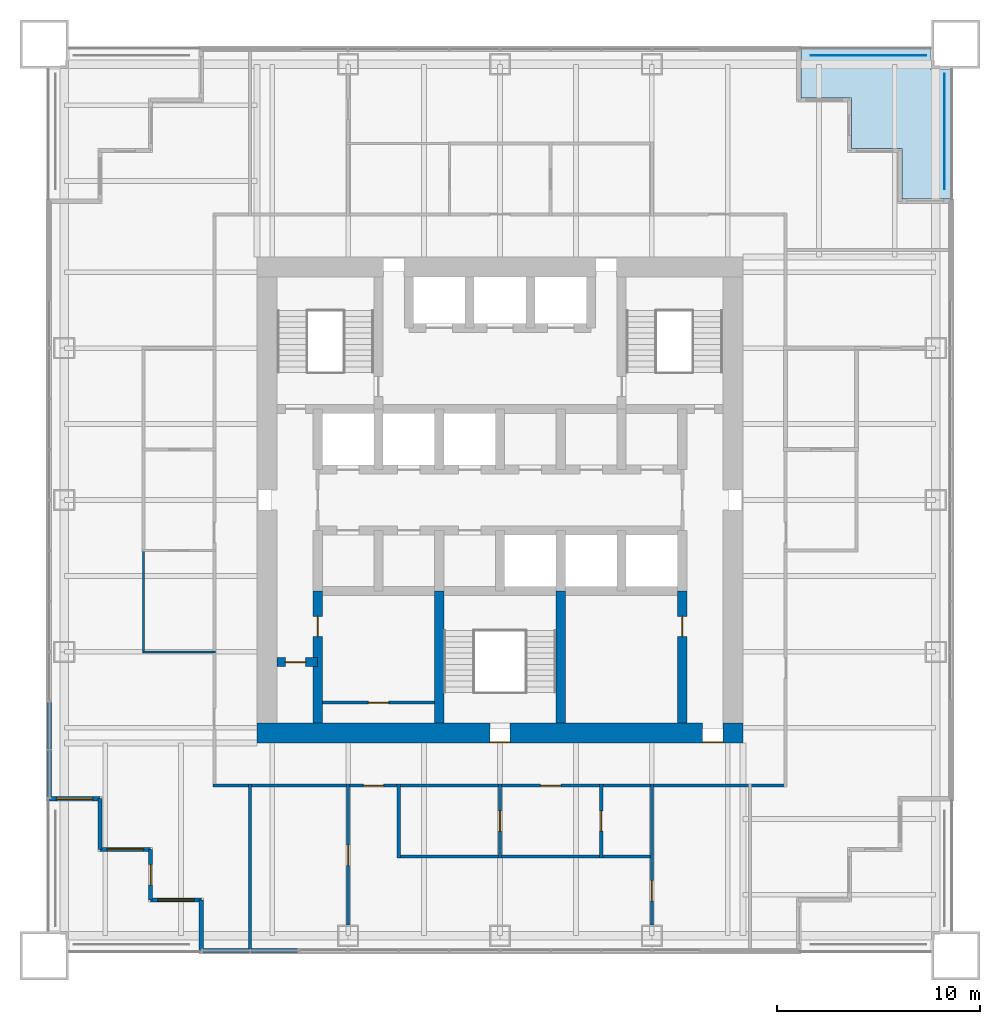
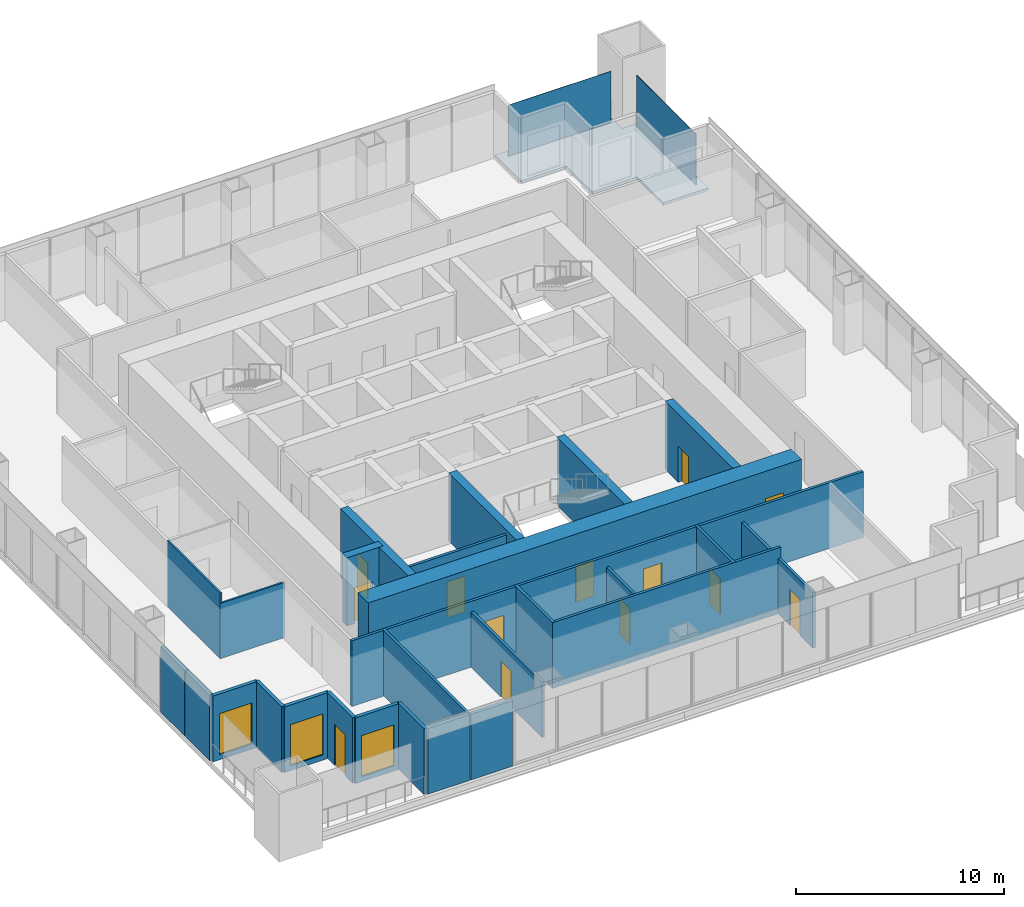
# One storey, part 8 of 13: 27 walls, 13 doors, 3 windows, 2 plates, 1 slab, 16 openings.
"""IFC4 building model written with IfcOpenShell, lengths in metres."""

import ifcopenshell
import ifcopenshell.guid

model = None  # the IFC model being written
_history = None  # IfcOwnerHistory: only IFC2X3 demands one
_inside = {}  # id of a spatial element -> (the spatial element, [elements in it])
_under = {}  # id of a project, library or spatial element -> (it, [spatial elements below it])
_declared = {}  # id of a project -> (the project, [libraries it declares])
_typed = {}  # id of a type object -> (the type object, [elements of that type])
_made_of = {}  # id of a material, layer set ... -> (it, [elements and type objects made of it])


def new_model(schema):
    """Start an empty IFC model of exactly this schema.

    Asked for "IFC4X3", IfcOpenShell would pick the latest addendum, in which some entities
    have other attributes; the version numbers below select the first issue.
    IFC2X3 requires an IfcOwnerHistory on every rooted entity: one is made here for all.
    """
    global model, _history
    if schema == "IFC4X3":
        model = ifcopenshell.file(schema_version=(4, 3, 0, 0))
    else:
        model = ifcopenshell.file(schema=schema)
    _inside.clear()
    _under.clear()
    _declared.clear()
    _typed.clear()
    _made_of.clear()
    _history = None
    if model.schema == "IFC2X3":
        org = make("IfcOrganization", Name="unknown")
        user = make(
            "IfcPersonAndOrganization",
            ThePerson=make("IfcPerson", FamilyName="unknown"),
            TheOrganization=org,
        )
        app = make(
            "IfcApplication",
            ApplicationDeveloper=org,
            Version="unknown",
            ApplicationFullName="unknown",
            ApplicationIdentifier="unknown",
        )
        _history = make(
            "IfcOwnerHistory",
            OwningUser=user,
            OwningApplication=app,
            ChangeAction="ADDED",
            CreationDate=0,
        )
    return model


def make(cls, **values):
    """One entity of the class cls with the attributes given. An attribute that is None is left unset."""
    return model.create_entity(
        cls, **{name: value for name, value in values.items() if value is not None}
    )


def rooted(cls, **values):
    """An entity with a GlobalId (a new one), such as an element, a storey or a relation."""
    return make(cls, GlobalId=ifcopenshell.guid.new(), OwnerHistory=_history, **values)


def si_unit(unit_type, name, prefix=None):
    """IfcSIUnit, for example si_unit("LENGTHUNIT", "METRE", prefix="MILLI")."""
    return make("IfcSIUnit", UnitType=unit_type, Prefix=prefix, Name=name)


def assignment(units):
    """IfcUnitAssignment: the units of a project."""
    return None if units is None else make("IfcUnitAssignment", Units=units)


def point(xyz):
    """IfcCartesianPoint."""
    return None if xyz is None else make("IfcCartesianPoint", Coordinates=xyz)


def direction(xyz):
    """IfcDirection."""
    return None if xyz is None else make("IfcDirection", DirectionRatios=xyz)


def frame(location, z_axis=None, x_axis=None):
    """IfcAxis2Placement3D, a coordinate frame: its origin and axes. An axis left out is left unset."""
    return make(
        "IfcAxis2Placement3D",
        Location=point(location),
        Axis=direction(z_axis),
        RefDirection=direction(x_axis),
    )


def frame_2d(location, x_axis=None):
    """IfcAxis2Placement2D, a coordinate frame in the plane: its origin and x axis."""
    return make(
        "IfcAxis2Placement2D", Location=point(location), RefDirection=direction(x_axis)
    )


def origin():
    """The frame at (0, 0, 0) with its axes left unset."""
    return frame((0.0, 0.0, 0.0))


def origin_2d():
    """The frame at (0, 0) in the plane with its x axis left unset."""
    return frame_2d((0.0, 0.0))


def place(relative_to, where):
    """IfcLocalPlacement: puts the frame where relative to a parent placement (None: the world)."""
    return make(
        "IfcLocalPlacement", PlacementRelTo=relative_to, RelativePlacement=where
    )


def context(
    kind, dimensions, precision=None, world=None, true_north=None, identifier=None
):
    """IfcGeometricRepresentationContext, for example the 3D "Model" context."""
    return make(
        "IfcGeometricRepresentationContext",
        ContextIdentifier=identifier,
        ContextType=kind,
        CoordinateSpaceDimension=dimensions,
        Precision=precision,
        WorldCoordinateSystem=world,
        TrueNorth=true_north,
    )


def subcontext(parent, identifier, kind, view, scale=None):
    """IfcGeometricRepresentationSubContext, for example "Body" below "Model"."""
    return make(
        "IfcGeometricRepresentationSubContext",
        ContextIdentifier=identifier,
        ContextType=kind,
        ParentContext=parent,
        TargetScale=scale,
        TargetView=view,
    )


def project(units=None, contexts=None):
    """IfcProject with its units and contexts."""
    return rooted(
        "IfcProject",
        Name="project",
        RepresentationContexts=contexts,
        UnitsInContext=assignment(units),
    )


def spatial(cls, under=None, at=None, **own):
    """A site, building, storey or space (cls), placed at a placement, below another one or the project."""
    s = rooted(cls, ObjectPlacement=at, **own)
    if under is not None:
        _under.setdefault(under.id(), (under, []))[1].append(s)
    return s


def polyline(points):
    """IfcPolyline through the points."""
    return make("IfcPolyline", Points=[point(p) for p in points])


def profile(cls, at=None, kind="AREA", **sizes):
    """A parametric profile (cls). Its sizes go by their IFC names, for example OverallWidth=200.0."""
    return make(cls, ProfileType=kind, Position=at, **sizes)


def rectangle(**sizes):
    """IfcRectangleProfileDef."""
    return profile("IfcRectangleProfileDef", **sizes)


def outline(outer, holes=None, kind="AREA"):
    """IfcArbitraryClosedProfileDef: a profile drawn as a closed curve; with holes, ...WithVoids."""
    if holes is None:
        return make("IfcArbitraryClosedProfileDef", ProfileType=kind, OuterCurve=outer)
    return make(
        "IfcArbitraryProfileDefWithVoids",
        ProfileType=kind,
        OuterCurve=outer,
        InnerCurves=holes,
    )


def extrude(swept, where, along, depth):
    """IfcExtrudedAreaSolid: the profile swept, set in the frame where, extruded along a direction by depth."""
    return make(
        "IfcExtrudedAreaSolid",
        SweptArea=swept,
        Position=where,
        ExtrudedDirection=direction(along),
        Depth=depth,
    )


def shape(context_of_items, identifier, shape_type, items):
    """IfcShapeRepresentation: the items that make up one representation, for example the "Body"."""
    return make(
        "IfcShapeRepresentation",
        ContextOfItems=context_of_items,
        RepresentationIdentifier=identifier,
        RepresentationType=shape_type,
        Items=items,
    )


def material(Name=None, Category=None):
    """IfcMaterial."""
    return make("IfcMaterial", Name=Name, Category=Category)


def layer(
    of_material, thickness, ventilated=None, Name=None, Category=None, Priority=None
):
    """IfcMaterialLayer: one layer of a wall or slab, of a material (None: an air gap)."""
    return make(
        "IfcMaterialLayer",
        Material=of_material,
        LayerThickness=thickness,
        IsVentilated=ventilated,
        Name=Name,
        Category=Category,
        Priority=Priority,
    )


def layer_set(layers, Name=None):
    """IfcMaterialLayerSet."""
    return make("IfcMaterialLayerSet", MaterialLayers=layers, LayerSetName=Name)


def made_of(thing, what):
    """Note that an element or type object is made of a material, layer set ...; save() writes the relation."""
    if what is not None:
        _made_of.setdefault(what.id(), (what, []))[1].append(thing)
    return thing


def type_object(cls, material=None, **own):
    """A type object (cls), such as IfcWallType, which elements share."""
    return made_of(rooted(cls, **own), material)


def element(
    cls,
    number,
    at=None,
    inside=None,
    cuts=None,
    type_object=None,
    material=None,
    context=None,
    identifier="Body",
    shape_type=None,
    held_by="IfcProductDefinitionShape",
    body=None,
    shapes=None,
    **own,
):
    """One element of the class cls, such as IfcWall. Its Tag is "e" and its number.

    at: its placement. inside: the storey or other place that contains it. cuts: it is an
    opening in that element (IfcRelVoidsElement). A single representation is given by context,
    identifier, shape_type and body (its items); several are given by shapes. held_by: the class
    of the entity that holds the representations. save() writes the other relations.
    """
    e = rooted(cls, Tag="e%d" % number, ObjectPlacement=at, **own)
    if body is not None:
        shapes = [shape(context, identifier, shape_type, body)]
    if shapes is not None:
        e.Representation = make(held_by, Representations=shapes)
    if inside is not None:
        _inside.setdefault(inside.id(), (inside, []))[1].append(e)
    if cuts is not None:
        rooted(
            "IfcRelVoidsElement", RelatingBuildingElement=cuts, RelatedOpeningElement=e
        )
    if type_object is not None:
        _typed.setdefault(type_object.id(), (type_object, []))[1].append(e)
    return made_of(e, material)


def fill(opening, filler):
    """IfcRelFillsElement: the door or window that sits in an opening."""
    return rooted(
        "IfcRelFillsElement",
        RelatingOpeningElement=opening,
        RelatedBuildingElement=filler,
    )


def aggregate(whole, parts):
    """IfcRelAggregates: a whole, such as a stair, and the parts it consists of."""
    return rooted("IfcRelAggregates", RelatingObject=whole, RelatedObjects=parts)


def save(model, path):
    """Write the relations noted so far, then the file.

    IfcRelAggregates (storeys below a building ...), IfcRelContainedInSpatialStructure (elements
    in a storey), IfcRelDefinesByType, IfcRelAssociatesMaterial and IfcRelDeclares: one each for
    every whole, place, type object, material and project.
    """
    for whole, parts in _under.values():
        aggregate(whole, parts)
    for where, things in _inside.values():
        rooted(
            "IfcRelContainedInSpatialStructure",
            RelatedElements=things,
            RelatingStructure=where,
        )
    for kind, things in _typed.values():
        rooted("IfcRelDefinesByType", RelatedObjects=things, RelatingType=kind)
    for what, things in _made_of.values():
        rooted("IfcRelAssociatesMaterial", RelatedObjects=things, RelatingMaterial=what)
    for by, libraries in _declared.values():
        rooted("IfcRelDeclares", RelatingContext=by, RelatedDefinitions=libraries)
    model.write(path)


model = new_model("IFC4")

# Units and contexts
model_context = context("Model", 3, precision=1e-05, world=origin(), true_north=direction((0.0, 1.0)))
body_context = subcontext(model_context, "Body", "Model", "MODEL_VIEW")
ifc_project = project(units=[si_unit("LENGTHUNIT", "METRE"), si_unit("AREAUNIT", "SQUARE_METRE"), si_unit("VOLUMEUNIT", "CUBIC_METRE"), si_unit("PLANEANGLEUNIT", "RADIAN"), si_unit("MASSUNIT", "GRAM", prefix="KILO")], contexts=[model_context])

# Site, building, storey
site_placement = place(None, origin())
site = spatial("IfcSite", under=ifc_project, at=site_placement, CompositionType="ELEMENT")
building_placement = place(site_placement, origin())
building = spatial("IfcBuilding", under=site, at=building_placement, Name="Tarangal Relay Tower", CompositionType="ELEMENT")
storey_placement = place(building_placement, frame((0.0, 0.0, 205.89990234375)))
storey = spatial("IfcBuildingStorey", under=building, at=storey_placement, Name="L43", CompositionType="ELEMENT", Elevation=205.89990234375)

# Plates
ifc_material_1 = material(Name="Black stainless steel cable trellis with climbing planting", Category="steel")
ifc_layer_1 = layer(ifc_material_1, 0.030029296875)
ifc_layer_set_1 = layer_set([ifc_layer_1], Name="Planted trellis screen")
plate_type_1 = type_object("IfcPlateType", Name="Planted trellis screen", PredefinedType="SHEET", material=ifc_layer_set_1)
plate_1_placement = place(storey_placement, frame((21.949951171875, 18.199951171875, 0.0), z_axis=(0.0, 0.0, 1.0), x_axis=(0.0, -1.0, 0.0)))
element("IfcPlate", 1, at=plate_1_placement, inside=storey, type_object=plate_type_1, Name="Planted trellis SC2 NE L43", PredefinedType="SHEET", context=body_context, shape_type="SweptSolid", body=[
    extrude(rectangle(XDim=5.699951171875, YDim=0.030029296875, at=origin_2d()), origin(), (0.0, 0.0, 1.0), 3.0),
])
ifc_material_2 = material(Name="Perforated black aluminium screen", Category="aluminium")
ifc_layer_2 = layer(ifc_material_2, 0.02001953125)
ifc_layer_set_2 = layer_set([ifc_layer_2], Name="Terrace screen panel")
plate_type_2 = type_object("IfcPlateType", Name="Terrace screen panel", PredefinedType="SHEET", material=ifc_layer_set_2)
plate_2_placement = place(storey_placement, frame((18.199951171875, 21.949951171875, 0.0), z_axis=(0.0, 0.0, 1.0), x_axis=(1.0, 0.0, 0.0)))
element("IfcPlate", 2, at=plate_2_placement, inside=storey, type_object=plate_type_2, Name="Terrace screen SC1 NE L43", PredefinedType="SHEET", context=body_context, shape_type="SweptSolid", body=[
    extrude(rectangle(XDim=5.699951171875, YDim=0.02001953125, at=origin_2d()), origin(), (0.0, 0.0, 1.0), 3.0),
])

# Slab
ifc_material_3 = material(Name="Concrete fc' 35 MPa", Category="concrete")
ifc_layer_3 = layer(ifc_material_3, 0.14990234375)
ifc_layer_set_3 = layer_set([ifc_layer_3], Name="Terrace slab 150")
slab_type = type_object("IfcSlabType", Name="Terrace slab 150", PredefinedType="FLOOR", material=ifc_layer_set_3)
slab_placement = place(storey_placement, frame((0.0, 0.0, -0.14990234375)))
element("IfcSlab", 3, at=slab_placement, inside=storey, type_object=slab_type, Name="Corner terrace NE L43", PredefinedType="FLOOR", context=body_context, shape_type="SweptSolid", body=[
    extrude(outline(polyline([(14.85009765625, 22.35009765625), (14.85009765625, 19.85009765625), (17.35009765625, 19.85009765625), (17.35009765625, 17.35009765625), (19.85009765625, 17.35009765625), (19.85009765625, 14.85009765625), (22.35009765625, 14.85009765625), (22.35009765625, 21.25), (21.25, 21.25), (21.25, 22.35009765625), (14.85009765625, 22.35009765625)])), origin(), (0.0, 0.0, 1.0), 0.14990234375),
])

# Wall, opening, door
ifc_material_4 = material(Name="Concrete fc' 60 MPa", Category="concrete")
ifc_layer_4 = layer(ifc_material_4, 0.449951171875)
ifc_layer_set_4 = layer_set([ifc_layer_4], Name="Core inner wall 450")
wall_type_1 = type_object("IfcWallType", Name="Core inner wall 450", PredefinedType="SHEAR", material=ifc_layer_set_4)
wall_1_placement = place(storey_placement, frame((-11.0, -8.0, 0.0), z_axis=(0.0, 0.0, 1.0), x_axis=(1.0, 0.0, 0.0)))
wall_1 = element("IfcWall", 4, at=wall_1_placement, inside=storey, type_object=wall_type_1, Name="Core wall YM8 L43", PredefinedType="SHEAR", context=body_context, shape_type="SweptSolid", body=[
    extrude(rectangle(XDim=2.0, YDim=0.449951171875, at=frame_2d((1.0, 0.0))), origin(), (0.0, 0.0, 1.0), 4.0),
])
opening_1_placement = place(wall_1_placement, frame((0.39990234375, 0.0, 0.0)))
opening_1 = element("IfcOpeningElement", 5, at=opening_1_placement, cuts=wall_1, Name="Opening D1", PredefinedType="OPENING", context=body_context, shape_type="SweptSolid", body=[
    extrude(rectangle(XDim=1.0, YDim=2.10009765625, at=frame_2d((0.5, 1.050048828125))), frame((0.0, 0.23486328125, 0.0), z_axis=(0.0, -1.0, 0.0), x_axis=(1.0, 0.0, 0.0)), (0.0, 0.0, 1.0), 0.469970703125),
])
ifc_material_5 = material(Name="Hardwood door", Category="wood")
door_type_1 = type_object("IfcDoorType", Name="WC door 1000 x 2100", OperationType="SINGLE_SWING_LEFT", PredefinedType="DOOR", material=ifc_material_5)
door_1_placement = place(opening_1_placement, origin())
door_1 = element("IfcDoor", 6, at=door_1_placement, inside=storey, type_object=door_type_1, Name="Accessible WC door L43", OperationType="SINGLE_SWING_LEFT", OverallHeight=2.10009765625, OverallWidth=1.0, PredefinedType="DOOR", context=body_context, shape_type="SweptSolid", body=[
    extrude(rectangle(XDim=1.0, YDim=2.10009765625, at=frame_2d((0.5, 1.050048828125))), frame((0.0, 0.02490234375, 0.0), z_axis=(0.0, -1.0, 0.0), x_axis=(1.0, 0.0, 0.0)), (0.0, 0.0, 1.0), 0.050048828125),
])
fill(opening_1, door_1)

wall_2_placement = place(storey_placement, frame((-9.0, -11.0, 0.0), z_axis=(0.0, 0.0, 1.0), x_axis=(0.0, 1.0, 0.0)))
wall_2 = element("IfcWall", 7, at=wall_2_placement, inside=storey, type_object=wall_type_1, Name="Core wall XM9W L43", PredefinedType="SHEAR", context=body_context, shape_type="SweptSolid", body=[
    extrude(rectangle(XDim=6.5, YDim=0.449951171875, at=frame_2d((3.25, 0.0))), origin(), (0.0, 0.0, 1.0), 4.0),
])
opening_2_placement = place(wall_2_placement, frame((4.25, 0.0, 0.0)))
opening_2 = element("IfcOpeningElement", 8, at=opening_2_placement, cuts=wall_2, Name="Opening D1", PredefinedType="OPENING", context=body_context, shape_type="SweptSolid", body=[
    extrude(rectangle(XDim=1.0, YDim=2.10009765625, at=frame_2d((0.5, 1.050048828125))), frame((0.0, 0.23486328125, 0.0), z_axis=(0.0, -1.0, 0.0), x_axis=(1.0, 0.0, 0.0)), (0.0, 0.0, 1.0), 0.469970703125),
])
door_2_placement = place(opening_2_placement, origin())
door_2 = element("IfcDoor", 9, at=door_2_placement, inside=storey, type_object=door_type_1, Name="Male WC door L43", OperationType="SINGLE_SWING_LEFT", OverallHeight=2.10009765625, OverallWidth=1.0, PredefinedType="DOOR", context=body_context, shape_type="SweptSolid", body=[
    extrude(rectangle(XDim=1.0, YDim=2.10009765625, at=frame_2d((0.5, 1.050048828125))), frame((0.0, 0.02490234375, 0.0), z_axis=(0.0, -1.0, 0.0), x_axis=(1.0, 0.0, 0.0)), (0.0, 0.0, 1.0), 0.050048828125),
])
fill(opening_2, door_2)

wall_3_placement = place(storey_placement, frame((9.0, -11.0, 0.0), z_axis=(0.0, 0.0, 1.0), x_axis=(0.0, 1.0, 0.0)))
wall_3 = element("IfcWall", 10, at=wall_3_placement, inside=storey, type_object=wall_type_1, Name="Core wall X9W L43", PredefinedType="SHEAR", context=body_context, shape_type="SweptSolid", body=[
    extrude(rectangle(XDim=6.5, YDim=0.449951171875, at=frame_2d((3.25, 0.0))), origin(), (0.0, 0.0, 1.0), 4.0),
])
opening_3_placement = place(wall_3_placement, frame((4.25, 0.0, 0.0)))
opening_3 = element("IfcOpeningElement", 11, at=opening_3_placement, cuts=wall_3, Name="Opening D1", PredefinedType="OPENING", context=body_context, shape_type="SweptSolid", body=[
    extrude(rectangle(XDim=1.0, YDim=2.10009765625, at=frame_2d((0.5, 1.050048828125))), frame((0.0, 0.23486328125, 0.0), z_axis=(0.0, -1.0, 0.0), x_axis=(1.0, 0.0, 0.0)), (0.0, 0.0, 1.0), 0.469970703125),
])
door_3_placement = place(opening_3_placement, origin())
door_3 = element("IfcDoor", 12, at=door_3_placement, inside=storey, type_object=door_type_1, Name="Female WC door L43", OperationType="SINGLE_SWING_LEFT", OverallHeight=2.10009765625, OverallWidth=1.0, PredefinedType="DOOR", context=body_context, shape_type="SweptSolid", body=[
    extrude(rectangle(XDim=1.0, YDim=2.10009765625, at=frame_2d((0.5, 1.050048828125))), frame((0.0, 0.02490234375, 0.0), z_axis=(0.0, -1.0, 0.0), x_axis=(1.0, 0.0, 0.0)), (0.0, 0.0, 1.0), 0.050048828125),
])
fill(opening_3, door_3)

# Walls
for number, where, z_axis, x_axis, name in (
    (13, (-3.0, -11.0, 0.0), (0.0, 0.0, 1.0), (0.0, 1.0, 0.0), "Core wall XM3W L43"),
    (14, (3.0, -11.0, 0.0), (0.0, 0.0, 1.0), (0.0, 1.0, 0.0), "Core wall X3W L43"),
):
    element("IfcWall", number, at=place(storey_placement, frame(where, z_axis=z_axis, x_axis=x_axis)), inside=storey, type_object=wall_type_1, Name=name, PredefinedType="SHEAR", context=body_context, shape_type="SweptSolid", body=[
        extrude(rectangle(XDim=6.5, YDim=0.449951171875, at=frame_2d((3.25, 0.0))), origin(), (0.0, 0.0, 1.0), 4.0),
    ])

# Wall, openings, doors
ifc_layer_5 = layer(ifc_material_4, 1.0)
ifc_layer_set_5 = layer_set([ifc_layer_5], Name="Core wall 1000")
wall_type_2 = type_object("IfcWallType", Name="Core wall 1000", PredefinedType="SHEAR", material=ifc_layer_set_5)
wall_4_placement = place(storey_placement, frame((12.0, -11.5, 0.0), z_axis=(0.0, 0.0, 1.0), x_axis=(-1.0, 0.0, 0.0)))
wall_4 = element("IfcWall", 15, at=wall_4_placement, inside=storey, type_object=wall_type_2, Name="Core wall S L43", PredefinedType="SHEAR", context=body_context, shape_type="SweptSolid", body=[
    extrude(rectangle(XDim=24.0, YDim=1.0, at=frame_2d((12.0, 0.0))), origin(), (0.0, 0.0, 1.0), 4.0),
])
opening_4_placement = place(wall_4_placement, frame((11.5, 0.0, 0.0)))
opening_4 = element("IfcOpeningElement", 16, at=opening_4_placement, cuts=wall_4, Name="Opening FD1", PredefinedType="OPENING", context=body_context, shape_type="SweptSolid", body=[
    extrude(rectangle(XDim=1.0, YDim=2.10009765625, at=frame_2d((0.5, 1.050048828125))), frame((0.0, 0.510009765625, 0.0), z_axis=(0.0, -1.0, 0.0), x_axis=(1.0, 0.0, 0.0)), (0.0, 0.0, 1.0), 1.02001953125),
])
opening_5_placement = place(wall_4_placement, frame((1.0, 0.0, 0.0)))
opening_5 = element("IfcOpeningElement", 17, at=opening_5_placement, cuts=wall_4, Name="Opening FD3", PredefinedType="OPENING", context=body_context, shape_type="SweptSolid", body=[
    extrude(rectangle(XDim=1.0, YDim=2.39990234375, at=frame_2d((0.5, 1.199951171875))), frame((0.0, 0.510009765625, 0.0), z_axis=(0.0, -1.0, 0.0), x_axis=(1.0, 0.0, 0.0)), (0.0, 0.0, 1.0), 1.02001953125),
])
ifc_material_6 = material(Name="Steel door with hardwood frame", Category="steel")
door_type_2 = type_object("IfcDoorType", Name="Fire door 1000 x 2100", OperationType="SINGLE_SWING_LEFT", PredefinedType="DOOR", material=ifc_material_6)
door_4_placement = place(opening_4_placement, origin())
door_4 = element("IfcDoor", 18, at=door_4_placement, inside=storey, type_object=door_type_2, Name="Stair ST-C door L43", OperationType="SINGLE_SWING_LEFT", OverallHeight=2.10009765625, OverallWidth=1.0, PredefinedType="DOOR", context=body_context, shape_type="SweptSolid", body=[
    extrude(rectangle(XDim=1.0, YDim=2.10009765625, at=frame_2d((0.5, 1.050048828125))), frame((0.0, 0.48486328125, 0.0), z_axis=(0.0, -1.0, 0.0), x_axis=(1.0, 0.0, 0.0)), (0.0, 0.0, 1.0), 0.050048828125),
])
fill(opening_4, door_4)
door_type_3 = type_object("IfcDoorType", Name="Fire door 1000 x 2400 core entry", OperationType="SINGLE_SWING_RIGHT", PredefinedType="DOOR", material=ifc_material_6)
door_5_placement = place(opening_5_placement, origin())
door_5 = element("IfcDoor", 19, at=door_5_placement, inside=storey, type_object=door_type_3, Name="Core entry door south east L43", OperationType="SINGLE_SWING_RIGHT", OverallHeight=2.39990234375, OverallWidth=1.0, PredefinedType="DOOR", context=body_context, shape_type="SweptSolid", body=[
    extrude(rectangle(XDim=1.0, YDim=2.39990234375, at=frame_2d((0.5, 1.199951171875))), frame((0.0, 0.48486328125, 0.0), z_axis=(0.0, -1.0, 0.0), x_axis=(1.0, 0.0, 0.0)), (0.0, 0.0, 1.0), 0.050048828125),
])
fill(opening_5, door_5)

# Wall
ifc_material_7 = material(Name="Black metal clad insulated wall", Category="steel")
ifc_layer_6 = layer(ifc_material_7, 0.199951171875)
ifc_layer_set_6 = layer_set([ifc_layer_6], Name="Corner wall metal clad 200")
wall_type_3 = type_object("IfcWallType", Name="Corner wall metal clad 200", PredefinedType="SOLIDWALL", material=ifc_layer_set_6)
wall_5_placement = place(storey_placement, frame((-14.75, -22.25, 0.0), z_axis=(0.0, 0.0, 1.0), x_axis=(0.0, 1.0, 0.0)))
element("IfcWall", 20, at=wall_5_placement, inside=storey, type_object=wall_type_3, Name="Facade wall S facade L43", PredefinedType="SOLIDWALL", context=body_context, shape_type="SweptSolid", body=[
    extrude(rectangle(XDim=2.5, YDim=0.199951171875, at=frame_2d((1.25, 0.0))), origin(), (0.0, 0.0, 1.0), 3.85009765625),
])

# Wall, opening, window
wall_6_placement = place(storey_placement, frame((-14.75, -19.75, 0.0), z_axis=(0.0, 0.0, 1.0), x_axis=(-1.0, 0.0, 0.0)))
wall_6 = element("IfcWall", 21, at=wall_6_placement, inside=storey, type_object=wall_type_3, Name="Facade wall S facade L43", PredefinedType="SOLIDWALL", context=body_context, shape_type="SweptSolid", body=[
    extrude(rectangle(XDim=2.5, YDim=0.199951171875, at=frame_2d((1.25, 0.0))), origin(), (0.0, 0.0, 1.0), 3.85009765625),
])
opening_6_placement = place(wall_6_placement, frame((0.35009765625, 0.0, 0.300048828125)))
opening_6 = element("IfcOpeningElement", 22, at=opening_6_placement, cuts=wall_6, Name="Opening WN2", PredefinedType="OPENING", context=body_context, shape_type="SweptSolid", body=[
    extrude(rectangle(XDim=1.800048828125, YDim=2.39990234375, at=frame_2d((0.89990234375, 1.199951171875))), frame((0.0, 0.10986328125, 0.0), z_axis=(0.0, -1.0, 0.0), x_axis=(1.0, 0.0, 0.0)), (0.0, 0.0, 1.0), 0.219970703125),
])
ifc_material_8 = material(Name="Dark tinted double glazing in black aluminium frame", Category="aluminium")
window_type = type_object("IfcWindowType", Name="Corner window 1800 x 2400", PartitioningType="SINGLE_PANEL", PredefinedType="WINDOW", material=ifc_material_8)
window_1_placement = place(opening_6_placement, origin())
window_1 = element("IfcWindow", 23, at=window_1_placement, inside=storey, type_object=window_type, Name="Corner window WN2 S facade L43", OverallHeight=2.39990234375, OverallWidth=1.800048828125, PartitioningType="SINGLE_PANEL", PredefinedType="WINDOW", context=body_context, shape_type="SweptSolid", body=[
    extrude(rectangle(XDim=1.800048828125, YDim=2.39990234375, at=frame_2d((0.89990234375, 1.199951171875))), frame((0.0, 0.030029296875, 0.0), z_axis=(0.0, -1.0, 0.0), x_axis=(1.0, 0.0, 0.0)), (0.0, 0.0, 1.0), 0.06005859375),
])
fill(opening_6, window_1)

# Wall, opening, door
wall_7_placement = place(storey_placement, frame((-17.25, -19.75, 0.0), z_axis=(0.0, 0.0, 1.0), x_axis=(0.0, 1.0, 0.0)))
wall_7 = element("IfcWall", 24, at=wall_7_placement, inside=storey, type_object=wall_type_3, Name="Facade wall S facade L43", PredefinedType="SOLIDWALL", context=body_context, shape_type="SweptSolid", body=[
    extrude(rectangle(XDim=2.5, YDim=0.199951171875, at=frame_2d((1.25, 0.0))), origin(), (0.0, 0.0, 1.0), 3.85009765625),
])
opening_7_placement = place(wall_7_placement, frame((0.75, 0.0, 0.0)))
opening_7 = element("IfcOpeningElement", 25, at=opening_7_placement, cuts=wall_7, Name="Opening TD1", PredefinedType="OPENING", context=body_context, shape_type="SweptSolid", body=[
    extrude(rectangle(XDim=1.0, YDim=2.39990234375, at=frame_2d((0.5, 1.199951171875))), frame((0.0, 0.10986328125, 0.0), z_axis=(0.0, -1.0, 0.0), x_axis=(1.0, 0.0, 0.0)), (0.0, 0.0, 1.0), 0.219970703125),
])
ifc_material_9 = material(Name="Aluminium glazed door", Category="aluminium")
door_type_4 = type_object("IfcDoorType", Name="Terrace door 1000 x 2400", OperationType="SINGLE_SWING_RIGHT", PredefinedType="DOOR", material=ifc_material_9)
door_6_placement = place(opening_7_placement, origin())
door_6 = element("IfcDoor", 26, at=door_6_placement, inside=storey, type_object=door_type_4, Name="Terrace door TD1 SW L43", OperationType="SINGLE_SWING_RIGHT", OverallHeight=2.39990234375, OverallWidth=1.0, PredefinedType="DOOR", context=body_context, shape_type="SweptSolid", body=[
    extrude(rectangle(XDim=1.0, YDim=2.39990234375, at=frame_2d((0.5, 1.199951171875))), frame((0.0, 0.02490234375, 0.0), z_axis=(0.0, -1.0, 0.0), x_axis=(1.0, 0.0, 0.0)), (0.0, 0.0, 1.0), 0.050048828125),
])
fill(opening_7, door_6)

# Wall, opening, window
wall_8_placement = place(storey_placement, frame((-17.25, -17.25, 0.0), z_axis=(0.0, 0.0, 1.0), x_axis=(-1.0, 0.0, 0.0)))
wall_8 = element("IfcWall", 27, at=wall_8_placement, inside=storey, type_object=wall_type_3, Name="Facade wall S facade L43", PredefinedType="SOLIDWALL", context=body_context, shape_type="SweptSolid", body=[
    extrude(rectangle(XDim=2.5, YDim=0.199951171875, at=frame_2d((1.25, 0.0))), origin(), (0.0, 0.0, 1.0), 3.85009765625),
])
opening_8_placement = place(wall_8_placement, frame((0.35009765625, 0.0, 0.300048828125)))
opening_8 = element("IfcOpeningElement", 28, at=opening_8_placement, cuts=wall_8, Name="Opening WN2", PredefinedType="OPENING", context=body_context, shape_type="SweptSolid", body=[
    extrude(rectangle(XDim=1.800048828125, YDim=2.39990234375, at=frame_2d((0.89990234375, 1.199951171875))), frame((0.0, 0.10986328125, 0.0), z_axis=(0.0, -1.0, 0.0), x_axis=(1.0, 0.0, 0.0)), (0.0, 0.0, 1.0), 0.219970703125),
])
window_2_placement = place(opening_8_placement, origin())
window_2 = element("IfcWindow", 29, at=window_2_placement, inside=storey, type_object=window_type, Name="Corner window WN2 S facade L43", OverallHeight=2.39990234375, OverallWidth=1.800048828125, PartitioningType="SINGLE_PANEL", PredefinedType="WINDOW", context=body_context, shape_type="SweptSolid", body=[
    extrude(rectangle(XDim=1.800048828125, YDim=2.39990234375, at=frame_2d((0.89990234375, 1.199951171875))), frame((0.0, 0.030029296875, 0.0), z_axis=(0.0, -1.0, 0.0), x_axis=(1.0, 0.0, 0.0)), (0.0, 0.0, 1.0), 0.06005859375),
])
fill(opening_8, window_2)

# Wall
wall_9_placement = place(storey_placement, frame((-19.75, -17.25, 0.0), z_axis=(0.0, 0.0, 1.0), x_axis=(0.0, 1.0, 0.0)))
element("IfcWall", 30, at=wall_9_placement, inside=storey, type_object=wall_type_3, Name="Facade wall S facade L43", PredefinedType="SOLIDWALL", context=body_context, shape_type="SweptSolid", body=[
    extrude(rectangle(XDim=2.5, YDim=0.199951171875, at=frame_2d((1.25, 0.0))), origin(), (0.0, 0.0, 1.0), 3.85009765625),
])

# Wall, opening, window
wall_10_placement = place(storey_placement, frame((-19.75, -14.75, 0.0), z_axis=(0.0, 0.0, 1.0), x_axis=(-1.0, 0.0, 0.0)))
wall_10 = element("IfcWall", 31, at=wall_10_placement, inside=storey, type_object=wall_type_3, Name="Facade wall S facade L43", PredefinedType="SOLIDWALL", context=body_context, shape_type="SweptSolid", body=[
    extrude(rectangle(XDim=2.5, YDim=0.199951171875, at=frame_2d((1.25, 0.0))), origin(), (0.0, 0.0, 1.0), 3.85009765625),
])
opening_9_placement = place(wall_10_placement, frame((0.35009765625, 0.0, 0.300048828125)))
opening_9 = element("IfcOpeningElement", 32, at=opening_9_placement, cuts=wall_10, Name="Opening WN2", PredefinedType="OPENING", context=body_context, shape_type="SweptSolid", body=[
    extrude(rectangle(XDim=1.800048828125, YDim=2.39990234375, at=frame_2d((0.89990234375, 1.199951171875))), frame((0.0, 0.10986328125, 0.0), z_axis=(0.0, -1.0, 0.0), x_axis=(1.0, 0.0, 0.0)), (0.0, 0.0, 1.0), 0.219970703125),
])
window_3_placement = place(opening_9_placement, origin())
window_3 = element("IfcWindow", 33, at=window_3_placement, inside=storey, type_object=window_type, Name="Corner window WN2 S facade L43", OverallHeight=2.39990234375, OverallWidth=1.800048828125, PartitioningType="SINGLE_PANEL", PredefinedType="WINDOW", context=body_context, shape_type="SweptSolid", body=[
    extrude(rectangle(XDim=1.800048828125, YDim=2.39990234375, at=frame_2d((0.89990234375, 1.199951171875))), frame((0.0, 0.030029296875, 0.0), z_axis=(0.0, -1.0, 0.0), x_axis=(1.0, 0.0, 0.0)), (0.0, 0.0, 1.0), 0.06005859375),
])
fill(opening_9, window_3)

# Walls
ifc_layer_7 = layer(ifc_material_7, 0.199951171875)
ifc_layer_set_7 = layer_set([ifc_layer_7], Name="Facade infill wall metal clad 200")
wall_type_4 = type_object("IfcWallType", Name="Facade infill wall metal clad 200", PredefinedType="SOLIDWALL", material=ifc_layer_set_7)
for number, where, z_axis, x_axis, name in (
    (34, (-9.981689453125, -22.25, 0.0), (0.0, 0.0, 1.0), (-1.0, 0.0, 0.0), "Facade infill wall S facade L43 1.1"),
    (35, (-12.365966796875, -22.25, 0.0), (0.0, 0.0, 1.0), (-1.0, 0.0, 0.0), "Facade infill wall S facade L43 2.1"),
    (36, (-22.25, -14.68505859375, 0.0), (0.0, 0.0, 1.0), (0.0, 1.0, 0.0), "Facade infill wall W facade L43 1.1"),
    (37, (-22.25, -12.30078125, 0.0), (0.0, 0.0, 1.0), (0.0, 1.0, 0.0), "Facade infill wall W facade L43 2.1"),
):
    element("IfcWall", number, at=place(storey_placement, frame(where, z_axis=z_axis, x_axis=x_axis)), inside=storey, type_object=wall_type_4, Name=name, PredefinedType="SOLIDWALL", context=body_context, shape_type="SweptSolid", body=[
        extrude(rectangle(XDim=2.319091796875, YDim=0.199951171875, at=frame_2d((1.15966796875, 0.0))), origin(), (0.0, 0.0, 1.0), 3.85009765625),
    ])
ifc_material_10 = material(Name="Double glazed aluminium framed partition", Category="aluminium")
ifc_layer_8 = layer(ifc_material_10, 0.10009765625)
ifc_layer_set_8 = layer_set([ifc_layer_8], Name="Glazed partition 100")
wall_type_5 = type_object("IfcWallType", Name="Glazed partition 100", PredefinedType="PARTITIONING", material=ifc_layer_set_8)
wall_11_placement = place(storey_placement, frame((-17.64990234375, -7.5, 0.0), z_axis=(0.0, 0.0, 1.0), x_axis=(1.0, 0.0, 0.0)))
element("IfcWall", 38, at=wall_11_placement, inside=storey, type_object=wall_type_5, Name="Partition PT3 L43", PredefinedType="PARTITIONING", context=body_context, shape_type="SweptSolid", body=[
    extrude(rectangle(XDim=3.599853515625, YDim=0.10009765625, at=frame_2d((1.7998046875, 0.0))), origin(), (0.0, 0.0, 1.0), 3.238037109375),
])
wall_12_placement = place(storey_placement, frame((-17.60009765625, -7.550048828125, 0.0), z_axis=(0.0, 0.0, 1.0), x_axis=(0.0, 1.0, 0.0)))
element("IfcWall", 39, at=wall_12_placement, inside=storey, type_object=wall_type_5, Name="Partition PT3 L43", PredefinedType="PARTITIONING", context=body_context, shape_type="SweptSolid", body=[
    extrude(rectangle(XDim=5.10009765625, YDim=0.10009765625, at=frame_2d((2.550048828125, 0.0))), origin(), (0.0, 0.0, 1.0), 3.85009765625),
])
ifc_material_11 = material(Name="Gypsum board on steel studs", Category="steel")
ifc_layer_9 = layer(ifc_material_11, 0.14990234375)
ifc_layer_set_9 = layer_set([ifc_layer_9], Name="Partition 150")
wall_type_6 = type_object("IfcWallType", Name="Partition 150", PredefinedType="PARTITIONING", material=ifc_layer_set_9)
wall_13_placement = place(storey_placement, frame((-5.074951171875, -17.60009765625, 0.0), z_axis=(0.0, 0.0, 1.0), x_axis=(1.0, 0.0, 0.0)))
element("IfcWall", 40, at=wall_13_placement, inside=storey, type_object=wall_type_6, Name="Partition PT1 L43", PredefinedType="PARTITIONING", context=body_context, shape_type="SweptSolid", body=[
    extrude(rectangle(XDim=12.64990234375, YDim=0.14990234375, at=frame_2d((6.324951171875, 0.0))), origin(), (0.0, 0.0, 1.0), 3.85009765625),
])

# Wall, openings, doors
wall_14_placement = place(storey_placement, frame((-14.175048828125, -14.10009765625, 0.0), z_axis=(0.0, 0.0, 1.0), x_axis=(1.0, 0.0, 0.0)))
wall_14 = element("IfcWall", 41, at=wall_14_placement, inside=storey, type_object=wall_type_6, Name="Partition PT1 L43", PredefinedType="PARTITIONING", context=body_context, shape_type="SweptSolid", body=[
    extrude(rectangle(XDim=28.35009765625, YDim=0.14990234375, at=frame_2d((14.175048828125, 0.0))), origin(), (0.0, 0.0, 1.0), 3.85009765625),
])
opening_10_placement = place(wall_14_placement, frame((7.425048828125, 0.0, 0.0)))
opening_10 = element("IfcOpeningElement", 42, at=opening_10_placement, cuts=wall_14, Name="Opening SD1", PredefinedType="OPENING", context=body_context, shape_type="SweptSolid", body=[
    extrude(rectangle(XDim=1.0, YDim=2.39990234375, at=frame_2d((0.5, 1.199951171875))), frame((0.0, 0.0849609375, 0.0), z_axis=(0.0, -1.0, 0.0), x_axis=(1.0, 0.0, 0.0)), (0.0, 0.0, 1.0), 0.169921875),
])
opening_11_placement = place(wall_14_placement, frame((16.175048828125, 0.0, 0.0)))
opening_11 = element("IfcOpeningElement", 43, at=opening_11_placement, cuts=wall_14, Name="Opening SD1", PredefinedType="OPENING", context=body_context, shape_type="SweptSolid", body=[
    extrude(rectangle(XDim=1.0, YDim=2.39990234375, at=frame_2d((0.5, 1.199951171875))), frame((0.0, 0.0849609375, 0.0), z_axis=(0.0, -1.0, 0.0), x_axis=(1.0, 0.0, 0.0)), (0.0, 0.0, 1.0), 0.169921875),
])
door_type_5 = type_object("IfcDoorType", Name="Suite entrance door 1000 x 2400", OperationType="SINGLE_SWING_RIGHT", PredefinedType="DOOR", material=ifc_material_6)
door_7_placement = place(opening_10_placement, origin())
door_7 = element("IfcDoor", 44, at=door_7_placement, inside=storey, type_object=door_type_5, Name="Door SD1 to open plan office L43-11", OperationType="SINGLE_SWING_RIGHT", OverallHeight=2.39990234375, OverallWidth=1.0, PredefinedType="DOOR", context=body_context, shape_type="SweptSolid", body=[
    extrude(rectangle(XDim=1.0, YDim=2.39990234375, at=frame_2d((0.5, 1.199951171875))), frame((0.0, 0.02490234375, 0.0), z_axis=(0.0, -1.0, 0.0), x_axis=(1.0, 0.0, 0.0)), (0.0, 0.0, 1.0), 0.050048828125),
])
fill(opening_10, door_7)
door_8_placement = place(opening_11_placement, origin())
door_8 = element("IfcDoor", 45, at=door_8_placement, inside=storey, type_object=door_type_5, Name="Door SD1 to reception L43-12", OperationType="SINGLE_SWING_RIGHT", OverallHeight=2.39990234375, OverallWidth=1.0, PredefinedType="DOOR", context=body_context, shape_type="SweptSolid", body=[
    extrude(rectangle(XDim=1.0, YDim=2.39990234375, at=frame_2d((0.5, 1.199951171875))), frame((0.0, 0.02490234375, 0.0), z_axis=(0.0, -1.0, 0.0), x_axis=(1.0, 0.0, 0.0)), (0.0, 0.0, 1.0), 0.050048828125),
])
fill(opening_11, door_8)

# Wall
wall_15_placement = place(storey_placement, frame((-12.3330078125, -22.14990234375, 0.0), z_axis=(0.0, 0.0, 1.0), x_axis=(0.0, 1.0, 0.0)))
element("IfcWall", 46, at=wall_15_placement, inside=storey, type_object=wall_type_6, Name="Partition PT1 L43", PredefinedType="PARTITIONING", context=body_context, shape_type="SweptSolid", body=[
    extrude(rectangle(XDim=8.125, YDim=0.14990234375, at=frame_2d((4.0625, 0.0))), origin(), (0.0, 0.0, 1.0), 3.85009765625),
])

# Wall, opening, door
wall_16_placement = place(storey_placement, frame((-7.5, -20.989990234375, 0.0), z_axis=(0.0, 0.0, 1.0), x_axis=(0.0, 1.0, 0.0)))
wall_16 = element("IfcWall", 47, at=wall_16_placement, inside=storey, type_object=wall_type_6, Name="Partition PT1 L43", PredefinedType="PARTITIONING", context=body_context, shape_type="SweptSolid", body=[
    extrude(rectangle(XDim=6.965087890625, YDim=0.14990234375, at=frame_2d((3.482421875, 0.0))), origin(), (0.0, 0.0, 1.0), 3.238037109375),
])
opening_12_placement = place(wall_16_placement, frame((2.945068359375, 0.0, 0.0)))
opening_12 = element("IfcOpeningElement", 48, at=opening_12_placement, cuts=wall_16, Name="Opening D2", PredefinedType="OPENING", context=body_context, shape_type="SweptSolid", body=[
    extrude(rectangle(XDim=1.0, YDim=2.10009765625, at=frame_2d((0.5, 1.050048828125))), frame((0.0, 0.0849609375, 0.0), z_axis=(0.0, -1.0, 0.0), x_axis=(1.0, 0.0, 0.0)), (0.0, 0.0, 1.0), 0.169921875),
])
door_type_6 = type_object("IfcDoorType", Name="Door 1000 x 2100", OperationType="SINGLE_SWING_LEFT", PredefinedType="DOOR", material=ifc_material_5)
door_9_placement = place(opening_12_placement, origin())
door_9 = element("IfcDoor", 49, at=door_9_placement, inside=storey, type_object=door_type_6, Name="Door D2 to cellular office L43-14", OperationType="SINGLE_SWING_LEFT", OverallHeight=2.10009765625, OverallWidth=1.0, PredefinedType="DOOR", context=body_context, shape_type="SweptSolid", body=[
    extrude(rectangle(XDim=1.0, YDim=2.10009765625, at=frame_2d((0.5, 1.050048828125))), frame((0.0, 0.02490234375, 0.0), z_axis=(0.0, -1.0, 0.0), x_axis=(1.0, 0.0, 0.0)), (0.0, 0.0, 1.0), 0.050048828125),
])
fill(opening_12, door_9)

# Wall
wall_17_placement = place(storey_placement, frame((-5.0, -17.675048828125, 0.0), z_axis=(0.0, 0.0, 1.0), x_axis=(0.0, 1.0, 0.0)))
element("IfcWall", 50, at=wall_17_placement, inside=storey, type_object=wall_type_6, Name="Partition PT1 L43", PredefinedType="PARTITIONING", context=body_context, shape_type="SweptSolid", body=[
    extrude(rectangle(XDim=3.650146484375, YDim=0.14990234375, at=frame_2d((1.8251953125, 0.0))), origin(), (0.0, 0.0, 1.0), 3.85009765625),
])

# Wall, opening, door
wall_18_placement = place(storey_placement, frame((0.0, -17.675048828125, 0.0), z_axis=(0.0, 0.0, 1.0), x_axis=(0.0, 1.0, 0.0)))
wall_18 = element("IfcWall", 51, at=wall_18_placement, inside=storey, type_object=wall_type_6, Name="Partition PT1 L43", PredefinedType="PARTITIONING", context=body_context, shape_type="SweptSolid", body=[
    extrude(rectangle(XDim=3.650146484375, YDim=0.14990234375, at=frame_2d((1.8251953125, 0.0))), origin(), (0.0, 0.0, 1.0), 3.238037109375),
])
opening_13_placement = place(wall_18_placement, frame((1.324951171875, 0.0, 0.0)))
opening_13 = element("IfcOpeningElement", 52, at=opening_13_placement, cuts=wall_18, Name="Opening D2", PredefinedType="OPENING", context=body_context, shape_type="SweptSolid", body=[
    extrude(rectangle(XDim=1.0, YDim=2.10009765625, at=frame_2d((0.5, 1.050048828125))), frame((0.0, 0.0849609375, 0.0), z_axis=(0.0, -1.0, 0.0), x_axis=(1.0, 0.0, 0.0)), (0.0, 0.0, 1.0), 0.169921875),
])
door_10_placement = place(opening_13_placement, origin())
door_10 = element("IfcDoor", 53, at=door_10_placement, inside=storey, type_object=door_type_6, Name="Door D2 to tea pantry L43-13", OperationType="SINGLE_SWING_LEFT", OverallHeight=2.10009765625, OverallWidth=1.0, PredefinedType="DOOR", context=body_context, shape_type="SweptSolid", body=[
    extrude(rectangle(XDim=1.0, YDim=2.10009765625, at=frame_2d((0.5, 1.050048828125))), frame((0.0, 0.02490234375, 0.0), z_axis=(0.0, -1.0, 0.0), x_axis=(1.0, 0.0, 0.0)), (0.0, 0.0, 1.0), 0.050048828125),
])
fill(opening_13, door_10)

wall_19_placement = place(storey_placement, frame((5.0, -17.675048828125, 0.0), z_axis=(0.0, 0.0, 1.0), x_axis=(0.0, 1.0, 0.0)))
wall_19 = element("IfcWall", 54, at=wall_19_placement, inside=storey, type_object=wall_type_6, Name="Partition PT1 L43", PredefinedType="PARTITIONING", context=body_context, shape_type="SweptSolid", body=[
    extrude(rectangle(XDim=3.650146484375, YDim=0.14990234375, at=frame_2d((1.8251953125, 0.0))), origin(), (0.0, 0.0, 1.0), 3.85009765625),
])
opening_14_placement = place(wall_19_placement, frame((1.324951171875, 0.0, 0.0)))
opening_14 = element("IfcOpeningElement", 55, at=opening_14_placement, cuts=wall_19, Name="Opening D2", PredefinedType="OPENING", context=body_context, shape_type="SweptSolid", body=[
    extrude(rectangle(XDim=1.0, YDim=2.10009765625, at=frame_2d((0.5, 1.050048828125))), frame((0.0, 0.0849609375, 0.0), z_axis=(0.0, -1.0, 0.0), x_axis=(1.0, 0.0, 0.0)), (0.0, 0.0, 1.0), 0.169921875),
])
door_11_placement = place(opening_14_placement, origin())
door_11 = element("IfcDoor", 56, at=door_11_placement, inside=storey, type_object=door_type_6, Name="Door D2 to print room L43-10", OperationType="SINGLE_SWING_LEFT", OverallHeight=2.10009765625, OverallWidth=1.0, PredefinedType="DOOR", context=body_context, shape_type="SweptSolid", body=[
    extrude(rectangle(XDim=1.0, YDim=2.10009765625, at=frame_2d((0.5, 1.050048828125))), frame((0.0, 0.02490234375, 0.0), z_axis=(0.0, -1.0, 0.0), x_axis=(1.0, 0.0, 0.0)), (0.0, 0.0, 1.0), 0.050048828125),
])
fill(opening_14, door_11)

wall_20_placement = place(storey_placement, frame((7.5, -20.989990234375, 0.0), z_axis=(0.0, 0.0, 1.0), x_axis=(0.0, 1.0, 0.0)))
wall_20 = element("IfcWall", 57, at=wall_20_placement, inside=storey, type_object=wall_type_6, Name="Partition PT1 L43", PredefinedType="PARTITIONING", context=body_context, shape_type="SweptSolid", body=[
    extrude(rectangle(XDim=6.965087890625, YDim=0.14990234375, at=frame_2d((3.482421875, 0.0))), origin(), (0.0, 0.0, 1.0), 3.238037109375),
])
opening_15_placement = place(wall_20_placement, frame((1.195068359375, 0.0, 0.0)))
opening_15 = element("IfcOpeningElement", 58, at=opening_15_placement, cuts=wall_20, Name="Opening D2", PredefinedType="OPENING", context=body_context, shape_type="SweptSolid", body=[
    extrude(rectangle(XDim=1.0, YDim=2.10009765625, at=frame_2d((0.5, 1.050048828125))), frame((0.0, 0.0849609375, 0.0), z_axis=(0.0, -1.0, 0.0), x_axis=(1.0, 0.0, 0.0)), (0.0, 0.0, 1.0), 0.169921875),
])
door_12_placement = place(opening_15_placement, origin())
door_12 = element("IfcDoor", 59, at=door_12_placement, inside=storey, type_object=door_type_6, Name="Door D2 to cellular office L43-09", OperationType="SINGLE_SWING_LEFT", OverallHeight=2.10009765625, OverallWidth=1.0, PredefinedType="DOOR", context=body_context, shape_type="SweptSolid", body=[
    extrude(rectangle(XDim=1.0, YDim=2.10009765625, at=frame_2d((0.5, 1.050048828125))), frame((0.0, 0.02490234375, 0.0), z_axis=(0.0, -1.0, 0.0), x_axis=(1.0, 0.0, 0.0)), (0.0, 0.0, 1.0), 0.050048828125),
])
fill(opening_15, door_12)

wall_21_placement = place(storey_placement, frame((-8.77490234375, -10.0, 0.0), z_axis=(0.0, 0.0, 1.0), x_axis=(1.0, 0.0, 0.0)))
wall_21 = element("IfcWall", 60, at=wall_21_placement, inside=storey, type_object=wall_type_6, Name="Partition PT1 L43", PredefinedType="PARTITIONING", context=body_context, shape_type="SweptSolid", body=[
    extrude(rectangle(XDim=5.5498046875, YDim=0.14990234375, at=frame_2d((2.77490234375, 0.0))), origin(), (0.0, 0.0, 1.0), 3.75),
])
opening_16_placement = place(wall_21_placement, frame((2.27490234375, 0.0, 0.0)))
opening_16 = element("IfcOpeningElement", 61, at=opening_16_placement, cuts=wall_21, Name="Opening D1", PredefinedType="OPENING", context=body_context, shape_type="SweptSolid", body=[
    extrude(rectangle(XDim=1.0, YDim=2.10009765625, at=frame_2d((0.5, 1.050048828125))), frame((0.0, 0.0849609375, 0.0), z_axis=(0.0, -1.0, 0.0), x_axis=(1.0, 0.0, 0.0)), (0.0, 0.0, 1.0), 0.169921875),
])
door_13_placement = place(opening_16_placement, origin())
door_13 = element("IfcDoor", 62, at=door_13_placement, inside=storey, type_object=door_type_1, Name="Door D1 to male shower room L43-C7B", OperationType="SINGLE_SWING_LEFT", OverallHeight=2.10009765625, OverallWidth=1.0, PredefinedType="DOOR", context=body_context, shape_type="SweptSolid", body=[
    extrude(rectangle(XDim=1.0, YDim=2.10009765625, at=frame_2d((0.5, 1.050048828125))), frame((0.0, 0.02490234375, 0.0), z_axis=(0.0, -1.0, 0.0), x_axis=(1.0, 0.0, 0.0)), (0.0, 0.0, 1.0), 0.050048828125),
])
fill(opening_16, door_13)

save(model, "model.ifc")
